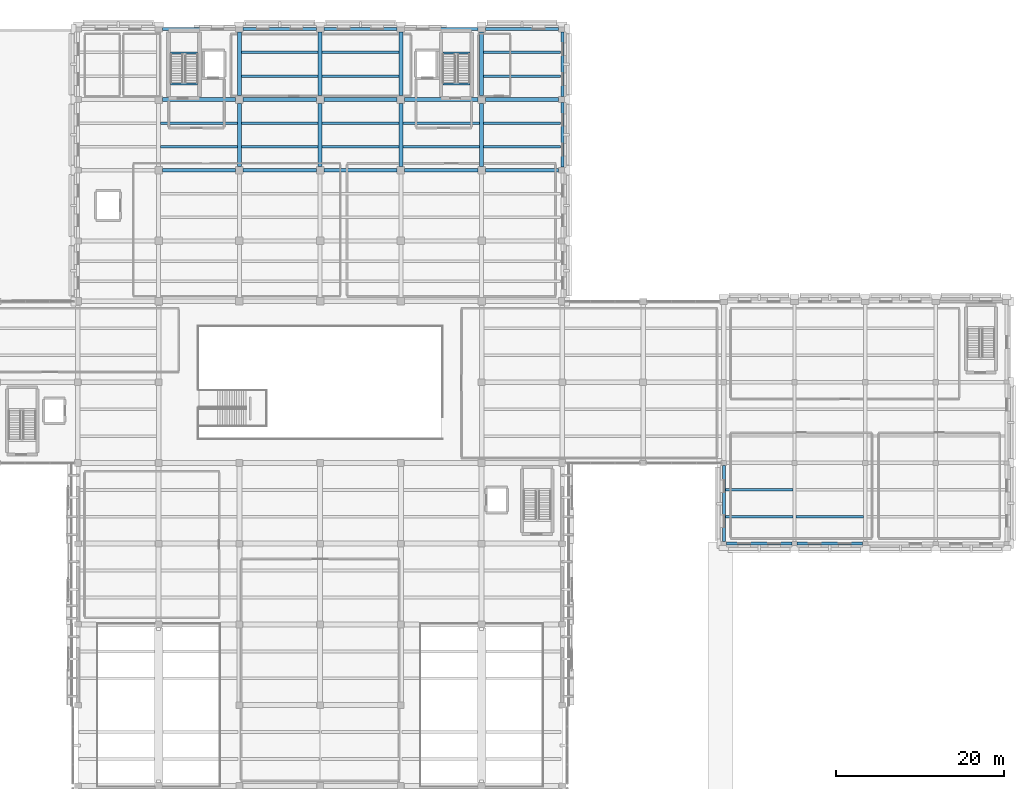
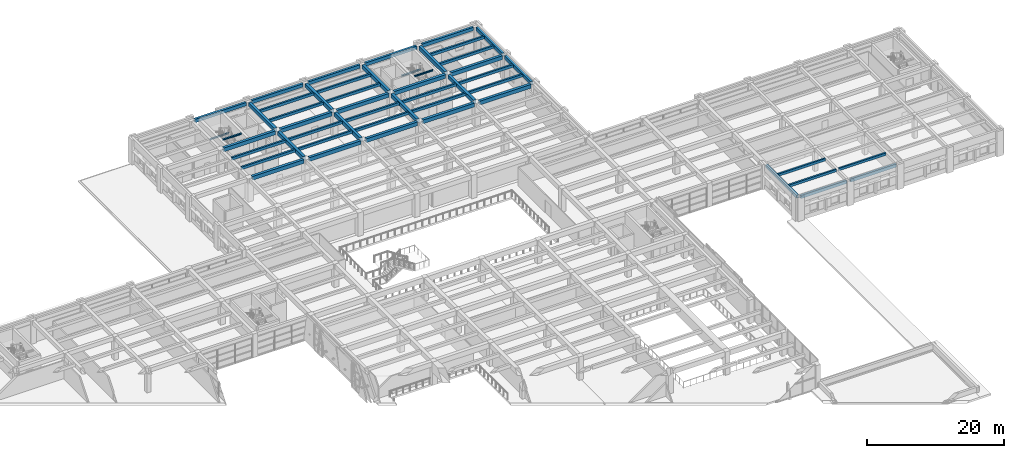
# One storey, part 20 of 49: 51 beams.
"""IFC4 building model written with IfcOpenShell, lengths in metres."""

from ifc_helpers import new_model, si_unit, direction, frame, origin, origin_2d, place, context, subcontext, project, spatial, rectangle, i_section, extrude, material, material_profile, profile_set, type_object, element, save


model = new_model("IFC4")

# Units and contexts
model_context = context("Model", 3, precision=1e-05, world=origin(), true_north=direction((0.0, 1.0)))
body_context = subcontext(model_context, "Body", "Model", "MODEL_VIEW")
ifc_project = project(units=[si_unit("LENGTHUNIT", "METRE"), si_unit("AREAUNIT", "SQUARE_METRE"), si_unit("VOLUMEUNIT", "CUBIC_METRE"), si_unit("PLANEANGLEUNIT", "RADIAN"), si_unit("MASSUNIT", "GRAM", prefix="KILO")], contexts=[model_context])

# Site, building, storey
site_placement = place(None, origin())
site = spatial("IfcSite", under=ifc_project, at=site_placement, CompositionType="ELEMENT")
building_placement = place(site_placement, origin())
building = spatial("IfcBuilding", under=site, at=building_placement, Name="Bempovik Park Faculty of Sciences", CompositionType="ELEMENT")
storey_placement = place(building_placement, frame((0.0, 0.0, 5.39990234375)))
storey = spatial("IfcBuildingStorey", under=building, at=storey_placement, Name="L01", CompositionType="ELEMENT", Elevation=5.39990234375)

# Beams
ifc_material_1 = material(Name="Concrete C35/45", Category="concrete")
ifc_material_profile_1 = material_profile(ifc_material_1, rectangle(XDim=0.3798828125, YDim=0.60009765625, at=origin_2d()), Name="RC 380x600")
ifc_profile_set_1 = profile_set([ifc_material_profile_1], Name="Concrete C35/45")
beam_type_1 = type_object("IfcBeamType", Name="B-032 RC 380x600", PredefinedType="SPANDREL", material=ifc_profile_set_1)
for number, where, z_axis, x_axis, name in (
    (1, (70.055908203125, 119.39990234375, 3.880126953125), (1.0, 0.0, 0.0), (0.0, 1.0, 0.0), "L01 Beam X (69.6-79.2, y=119.4)"),
    (2, (79.656005859375, 119.39990234375, 3.880126953125), (1.0, 0.0, 0.0), (0.0, 1.0, 0.0), "L01 Beam X (79.2-88.8, y=119.4)"),
    (3, (89.256103515625, 119.39990234375, 3.880126953125), (1.0, 0.0, 0.0), (0.0, 1.0, 0.0), "L01 Beam X (88.8-98.4, y=119.4)"),
    (4, (98.85595703125, 119.39990234375, 3.880126953125), (1.0, 0.0, 0.0), (0.0, 1.0, 0.0), "L01 Beam X (98.4-108.0, y=119.4)"),
    (5, (108.4560546875, 119.39990234375, 3.880126953125), (1.0, 0.0, 0.0), (0.0, 1.0, 0.0), "L01 Beam X (108.0-117.6, y=119.4)"),
):
    element("IfcBeam", number, at=place(storey_placement, frame(where, z_axis=z_axis, x_axis=x_axis)), inside=storey, type_object=beam_type_1, Name=name, PredefinedType="SPANDREL", context=body_context, shape_type="SweptSolid", body=[
        extrude(rectangle(XDim=0.3798828125, YDim=0.60009765625, at=origin_2d()), origin(), (0.0, 0.0, 1.0), 8.68798828125),
    ])
for number, where, z_axis, x_axis, name in (
    (6, (117.60009765625, 102.9560546875, 3.880126953125), (0.0, 1.0, 0.0), (-1.0, 0.0, 0.0), "L01 Beam Y (x=117.6, 102.6-111.0)"),
    (7, (117.60009765625, 111.35595703125, 3.880126953125), (0.0, 1.0, 0.0), (-1.0, 0.0, 0.0), "L01 Beam Y (x=117.6, 111.0-119.4)"),
):
    element("IfcBeam", number, at=place(storey_placement, frame(where, z_axis=z_axis, x_axis=x_axis)), inside=storey, type_object=beam_type_1, Name=name, PredefinedType="SPANDREL", context=body_context, shape_type="SweptSolid", body=[
        extrude(rectangle(XDim=0.3798828125, YDim=0.60009765625, at=origin_2d()), origin(), (0.0, 0.0, 1.0), 7.68798828125),
    ])
ifc_material_profile_2 = material_profile(ifc_material_1, rectangle(XDim=0.300048828125, YDim=0.47998046875, at=origin_2d()), Name="RC 300x480")
ifc_profile_set_2 = profile_set([ifc_material_profile_2], Name="Concrete C35/45")
beam_type_2 = type_object("IfcBeamType", Name="B-039 RC 300x480", PredefinedType="JOIST", material=ifc_profile_set_2)
for number, where, z_axis, x_axis, name in (
    (8, (69.8310546875, 105.39990234375, 3.940185546875), (1.0, 0.0, 0.0), (0.0, 1.0, 0.0), "L01 Secondary Joist (69.6-79.2, y=105.40)"),
    (9, (69.8310546875, 108.199951171875, 3.940185546875), (1.0, 0.0, 0.0), (0.0, 1.0, 0.0), "L01 Secondary Joist (69.6-79.2, y=108.20)"),
):
    element("IfcBeam", number, at=place(storey_placement, frame(where, z_axis=z_axis, x_axis=x_axis)), inside=storey, type_object=beam_type_2, Name=name, PredefinedType="JOIST", context=body_context, shape_type="SweptSolid", body=[
        extrude(rectangle(XDim=0.300048828125, YDim=0.47998046875, at=origin_2d()), origin(), (0.0, 0.0, 1.0), 9.137939453125),
    ])
for number, where, z_axis, x_axis, name in (
    (10, (79.430908203125, 105.39990234375, 3.940185546875), (1.0, 0.0, 0.0), (0.0, 1.0, 0.0), "L01 Secondary Joist (79.2-88.8, y=105.40)"),
    (11, (79.430908203125, 108.199951171875, 3.940185546875), (1.0, 0.0, 0.0), (0.0, 1.0, 0.0), "L01 Secondary Joist (79.2-88.8, y=108.20)"),
    (12, (79.430908203125, 113.800048828125, 3.940185546875), (1.0, 0.0, 0.0), (0.0, 1.0, 0.0), "L01 Secondary Joist (79.2-88.8, y=113.80)"),
    (13, (79.430908203125, 116.60009765625, 3.940185546875), (1.0, 0.0, 0.0), (0.0, 1.0, 0.0), "L01 Secondary Joist (79.2-88.8, y=116.60)"),
):
    element("IfcBeam", number, at=place(storey_placement, frame(where, z_axis=z_axis, x_axis=x_axis)), inside=storey, type_object=beam_type_2, Name=name, PredefinedType="JOIST", context=body_context, shape_type="SweptSolid", body=[
        extrude(rectangle(XDim=0.300048828125, YDim=0.47998046875, at=origin_2d()), origin(), (0.0, 0.0, 1.0), 9.13818359375),
    ])
for number, where, z_axis, x_axis, name in (
    (14, (89.031005859375, 105.39990234375, 3.940185546875), (1.0, 0.0, 0.0), (0.0, 1.0, 0.0), "L01 Secondary Joist (88.8-98.4, y=105.40)"),
    (15, (89.031005859375, 108.199951171875, 3.940185546875), (1.0, 0.0, 0.0), (0.0, 1.0, 0.0), "L01 Secondary Joist (88.8-98.4, y=108.20)"),
    (16, (89.031005859375, 113.800048828125, 3.940185546875), (1.0, 0.0, 0.0), (0.0, 1.0, 0.0), "L01 Secondary Joist (88.8-98.4, y=113.80)"),
    (17, (89.031005859375, 116.60009765625, 3.940185546875), (1.0, 0.0, 0.0), (0.0, 1.0, 0.0), "L01 Secondary Joist (88.8-98.4, y=116.60)"),
    (18, (98.631103515625, 105.39990234375, 3.940185546875), (1.0, 0.0, 0.0), (0.0, 1.0, 0.0), "L01 Secondary Joist (98.4-108.0, y=105.40)"),
    (19, (98.631103515625, 108.199951171875, 3.940185546875), (1.0, 0.0, 0.0), (0.0, 1.0, 0.0), "L01 Secondary Joist (98.4-108.0, y=108.20)"),
):
    element("IfcBeam", number, at=place(storey_placement, frame(where, z_axis=z_axis, x_axis=x_axis)), inside=storey, type_object=beam_type_2, Name=name, PredefinedType="JOIST", context=body_context, shape_type="SweptSolid", body=[
        extrude(rectangle(XDim=0.300048828125, YDim=0.47998046875, at=origin_2d()), origin(), (0.0, 0.0, 1.0), 9.137939453125),
    ])
for number, where, z_axis, x_axis, name in (
    (20, (108.23095703125, 105.39990234375, 3.940185546875), (1.0, 0.0, 0.0), (0.0, 1.0, 0.0), "L01 Secondary Joist (108.0-117.6, y=105.40)"),
    (21, (108.23095703125, 108.199951171875, 3.940185546875), (1.0, 0.0, 0.0), (0.0, 1.0, 0.0), "L01 Secondary Joist (108.0-117.6, y=108.20)"),
    (22, (108.23095703125, 113.800048828125, 3.940185546875), (1.0, 0.0, 0.0), (0.0, 1.0, 0.0), "L01 Secondary Joist (108.0-117.6, y=113.80)"),
    (23, (108.23095703125, 116.60009765625, 3.940185546875), (1.0, 0.0, 0.0), (0.0, 1.0, 0.0), "L01 Secondary Joist (108.0-117.6, y=116.60)"),
):
    element("IfcBeam", number, at=place(storey_placement, frame(where, z_axis=z_axis, x_axis=x_axis)), inside=storey, type_object=beam_type_2, Name=name, PredefinedType="JOIST", context=body_context, shape_type="SweptSolid", body=[
        extrude(rectangle(XDim=0.300048828125, YDim=0.47998046875, at=origin_2d()), origin(), (0.0, 0.0, 1.0), 9.173095703125),
    ])
ifc_material_profile_3 = material_profile(ifc_material_1, rectangle(XDim=0.35009765625, YDim=0.5400390625, at=origin_2d()), Name="RC 350x540")
ifc_profile_set_3 = profile_set([ifc_material_profile_3], Name="Concrete C35/45")
beam_type_3 = type_object("IfcBeamType", Name="B-059 RC 350x540", PredefinedType="SPANDREL", material=ifc_profile_set_3)
beam_1_placement = place(storey_placement, frame((137.115966796875, 58.199951171875, 3.91015625), z_axis=(1.0, 0.0, 0.0), x_axis=(0.0, 1.0, 0.0)))
element("IfcBeam", 24, at=beam_1_placement, inside=storey, type_object=beam_type_3, Name="L01 Beam X (136.8-145.2, y=58.2)", PredefinedType="SPANDREL", context=body_context, shape_type="SweptSolid", body=[
    extrude(rectangle(XDim=0.35009765625, YDim=0.5400390625, at=origin_2d()), origin(), (0.0, 0.0, 1.0), 7.76806640625),
])
beam_2_placement = place(storey_placement, frame((145.51611328125, 58.199951171875, 3.91015625), z_axis=(1.0, 0.0, 0.0), x_axis=(0.0, 1.0, 0.0)))
element("IfcBeam", 25, at=beam_2_placement, inside=storey, type_object=beam_type_3, Name="L01 Beam X (145.2-153.6, y=58.2)", PredefinedType="SPANDREL", context=body_context, shape_type="SweptSolid", body=[
    extrude(rectangle(XDim=0.35009765625, YDim=0.5400390625, at=origin_2d()), origin(), (0.0, 0.0, 1.0), 7.767822265625),
])
beam_3_placement = place(storey_placement, frame((136.800048828125, 58.43603515625, 3.91015625), z_axis=(0.0, 1.0, 0.0), x_axis=(-1.0, 0.0, 0.0)))
element("IfcBeam", 26, at=beam_3_placement, inside=storey, type_object=beam_type_3, Name="L01 Beam Y (x=136.8, 58.2-67.8)", PredefinedType="SPANDREL", context=body_context, shape_type="SweptSolid", body=[
    extrude(rectangle(XDim=0.35009765625, YDim=0.5400390625, at=origin_2d()), origin(), (0.0, 0.0, 1.0), 9.0478515625),
])
ifc_material_2 = material(Name="Steel S355", Category="steel")
ifc_material_profile_4 = material_profile(ifc_material_2, i_section(OverallWidth=0.239990234375, OverallDepth=0.22998046875, WebThickness=0.007568359375, FlangeThickness=0.011962890625, at=origin_2d()), Name="HEA 240")
ifc_profile_set_4 = profile_set([ifc_material_profile_4], Name="Steel S355")
beam_type_4 = type_object("IfcBeamType", Name="B-070 HEA 240", PredefinedType="BEAM", material=ifc_profile_set_4)
for number, where, z_axis, x_axis, name in (
    (27, (71.006103515625, 116.52490234375, 1.93505859375), (1.0, 0.0, 0.0), (0.0, 1.0, 0.0), "L01 ST-1 Half-Landing Trimmer Beam"),
    (28, (71.006103515625, 112.85009765625, 4.065185546875), (1.0, 0.0, 0.0), (0.0, 1.0, 0.0), "L02 ST-1 Floor Landing Trimmer Beam"),
    (29, (103.381103515625, 116.52490234375, 1.93505859375), (1.0, 0.0, 0.0), (0.0, 1.0, 0.0), "L01 ST-2 Half-Landing Trimmer Beam"),
    (30, (103.381103515625, 112.85009765625, 4.065185546875), (1.0, 0.0, 0.0), (0.0, 1.0, 0.0), "L02 ST-2 Floor Landing Trimmer Beam"),
):
    element("IfcBeam", number, at=place(storey_placement, frame(where, z_axis=z_axis, x_axis=x_axis)), inside=storey, type_object=beam_type_4, Name=name, PredefinedType="BEAM", context=body_context, shape_type="SweptSolid", body=[
        extrude(i_section(OverallWidth=0.239990234375, OverallDepth=0.22998046875, WebThickness=0.007568359375, FlangeThickness=0.011962890625, at=origin_2d()), origin(), (0.0, 0.0, 1.0), 3.23779296875),
    ])
ifc_material_profile_5 = material_profile(ifc_material_1, rectangle(XDim=0.280029296875, YDim=0.43994140625, at=origin_2d()), Name="RC 280x440")
ifc_profile_set_5 = profile_set([ifc_material_profile_5], Name="Concrete C35/45")
beam_type_5 = type_object("IfcBeamType", Name="B-076 RC 280x440", PredefinedType="JOIST", material=ifc_profile_set_5)
for number, where, z_axis, x_axis, name in (
    (31, (136.98095703125, 61.39990234375, 3.960205078125), (1.0, 0.0, 0.0), (0.0, 1.0, 0.0), "L01 Secondary Joist (136.8-145.2, y=61.40)"),
    (32, (136.98095703125, 64.60009765625, 3.960205078125), (1.0, 0.0, 0.0), (0.0, 1.0, 0.0), "L01 Secondary Joist (136.8-145.2, y=64.60)"),
):
    element("IfcBeam", number, at=place(storey_placement, frame(where, z_axis=z_axis, x_axis=x_axis)), inside=storey, type_object=beam_type_5, Name=name, PredefinedType="JOIST", context=body_context, shape_type="SweptSolid", body=[
        extrude(rectangle(XDim=0.280029296875, YDim=0.43994140625, at=origin_2d()), origin(), (0.0, 0.0, 1.0), 8.012939453125),
    ])
beam_4_placement = place(storey_placement, frame((145.406005859375, 61.39990234375, 3.960205078125), z_axis=(1.0, 0.0, 0.0), x_axis=(0.0, 1.0, 0.0)))
element("IfcBeam", 33, at=beam_4_placement, inside=storey, type_object=beam_type_5, Name="L01 Secondary Joist (145.2-153.6, y=61.40)", PredefinedType="JOIST", context=body_context, shape_type="SweptSolid", body=[
    extrude(rectangle(XDim=0.280029296875, YDim=0.43994140625, at=origin_2d()), origin(), (0.0, 0.0, 1.0), 7.988037109375),
])
ifc_material_profile_6 = material_profile(ifc_material_1, rectangle(XDim=0.449951171875, YDim=0.679931640625, at=origin_2d()), Name="RC 450x680")
ifc_profile_set_6 = profile_set([ifc_material_profile_6], Name="Concrete C35/45")
beam_type_6 = type_object("IfcBeamType", Name="B-113 RC 450x680", PredefinedType="BEAM", material=ifc_profile_set_6)
for number, where, z_axis, x_axis, name in (
    (34, (70.055908203125, 102.60009765625, 3.840087890625), (1.0, 0.0, 0.0), (0.0, 1.0, 0.0), "L01 Beam X (69.6-79.2, y=102.6)"),
    (35, (79.656005859375, 102.60009765625, 3.840087890625), (1.0, 0.0, 0.0), (0.0, 1.0, 0.0), "L01 Beam X (79.2-88.8, y=102.6)"),
    (36, (89.256103515625, 102.60009765625, 3.840087890625), (1.0, 0.0, 0.0), (0.0, 1.0, 0.0), "L01 Beam X (88.8-98.4, y=102.6)"),
    (37, (98.85595703125, 102.60009765625, 3.840087890625), (1.0, 0.0, 0.0), (0.0, 1.0, 0.0), "L01 Beam X (98.4-108.0, y=102.6)"),
    (38, (108.4560546875, 102.60009765625, 3.840087890625), (1.0, 0.0, 0.0), (0.0, 1.0, 0.0), "L01 Beam X (108.0-117.6, y=102.6)"),
    (39, (70.055908203125, 111.0, 3.840087890625), (1.0, 0.0, 0.0), (0.0, 1.0, 0.0), "L01 Beam X (69.6-79.2, y=111.0)"),
    (40, (79.656005859375, 111.0, 3.840087890625), (1.0, 0.0, 0.0), (0.0, 1.0, 0.0), "L01 Beam X (79.2-88.8, y=111.0)"),
    (41, (89.256103515625, 111.0, 3.840087890625), (1.0, 0.0, 0.0), (0.0, 1.0, 0.0), "L01 Beam X (88.8-98.4, y=111.0)"),
    (42, (98.85595703125, 111.0, 3.840087890625), (1.0, 0.0, 0.0), (0.0, 1.0, 0.0), "L01 Beam X (98.4-108.0, y=111.0)"),
    (43, (108.4560546875, 111.0, 3.840087890625), (1.0, 0.0, 0.0), (0.0, 1.0, 0.0), "L01 Beam X (108.0-117.6, y=111.0)"),
):
    element("IfcBeam", number, at=place(storey_placement, frame(where, z_axis=z_axis, x_axis=x_axis)), inside=storey, type_object=beam_type_6, Name=name, PredefinedType="BEAM", context=body_context, shape_type="SweptSolid", body=[
        extrude(rectangle(XDim=0.449951171875, YDim=0.679931640625, at=origin_2d()), origin(), (0.0, 0.0, 1.0), 8.68798828125),
    ])
beam_5_placement = place(storey_placement, frame((79.199951171875, 103.055908203125, 3.840087890625), z_axis=(0.0, 1.0, 0.0), x_axis=(-1.0, 0.0, 0.0)))
element("IfcBeam", 44, at=beam_5_placement, inside=storey, type_object=beam_type_6, Name="L01 Beam Y (x=79.2, 102.6-111.0)", PredefinedType="BEAM", context=body_context, shape_type="SweptSolid", body=[
    extrude(rectangle(XDim=0.449951171875, YDim=0.679931640625, at=origin_2d()), origin(), (0.0, 0.0, 1.0), 7.488037109375),
])
beam_6_placement = place(storey_placement, frame((79.199951171875, 111.4560546875, 3.840087890625), z_axis=(0.0, 1.0, 0.0), x_axis=(-1.0, 0.0, 0.0)))
element("IfcBeam", 45, at=beam_6_placement, inside=storey, type_object=beam_type_6, Name="L01 Beam Y (x=79.2, 111.0-119.4)", PredefinedType="BEAM", context=body_context, shape_type="SweptSolid", body=[
    extrude(rectangle(XDim=0.449951171875, YDim=0.679931640625, at=origin_2d()), origin(), (0.0, 0.0, 1.0), 7.587890625),
])
beam_7_placement = place(storey_placement, frame((88.800048828125, 103.055908203125, 3.840087890625), z_axis=(0.0, 1.0, 0.0), x_axis=(-1.0, 0.0, 0.0)))
element("IfcBeam", 46, at=beam_7_placement, inside=storey, type_object=beam_type_6, Name="L01 Beam Y (x=88.8, 102.6-111.0)", PredefinedType="BEAM", context=body_context, shape_type="SweptSolid", body=[
    extrude(rectangle(XDim=0.449951171875, YDim=0.679931640625, at=origin_2d()), origin(), (0.0, 0.0, 1.0), 7.488037109375),
])
beam_8_placement = place(storey_placement, frame((88.800048828125, 111.4560546875, 3.840087890625), z_axis=(0.0, 1.0, 0.0), x_axis=(-1.0, 0.0, 0.0)))
element("IfcBeam", 47, at=beam_8_placement, inside=storey, type_object=beam_type_6, Name="L01 Beam Y (x=88.8, 111.0-119.4)", PredefinedType="BEAM", context=body_context, shape_type="SweptSolid", body=[
    extrude(rectangle(XDim=0.449951171875, YDim=0.679931640625, at=origin_2d()), origin(), (0.0, 0.0, 1.0), 7.587890625),
])
beam_9_placement = place(storey_placement, frame((98.39990234375, 103.055908203125, 3.840087890625), z_axis=(0.0, 1.0, 0.0), x_axis=(-1.0, 0.0, 0.0)))
element("IfcBeam", 48, at=beam_9_placement, inside=storey, type_object=beam_type_6, Name="L01 Beam Y (x=98.4, 102.6-111.0)", PredefinedType="BEAM", context=body_context, shape_type="SweptSolid", body=[
    extrude(rectangle(XDim=0.449951171875, YDim=0.679931640625, at=origin_2d()), origin(), (0.0, 0.0, 1.0), 7.488037109375),
])
beam_10_placement = place(storey_placement, frame((98.39990234375, 111.4560546875, 3.840087890625), z_axis=(0.0, 1.0, 0.0), x_axis=(-1.0, 0.0, 0.0)))
element("IfcBeam", 49, at=beam_10_placement, inside=storey, type_object=beam_type_6, Name="L01 Beam Y (x=98.4, 111.0-119.4)", PredefinedType="BEAM", context=body_context, shape_type="SweptSolid", body=[
    extrude(rectangle(XDim=0.449951171875, YDim=0.679931640625, at=origin_2d()), origin(), (0.0, 0.0, 1.0), 7.587890625),
])
beam_11_placement = place(storey_placement, frame((108.0, 103.055908203125, 3.840087890625), z_axis=(0.0, 1.0, 0.0), x_axis=(-1.0, 0.0, 0.0)))
element("IfcBeam", 50, at=beam_11_placement, inside=storey, type_object=beam_type_6, Name="L01 Beam Y (x=108.0, 102.6-111.0)", PredefinedType="BEAM", context=body_context, shape_type="SweptSolid", body=[
    extrude(rectangle(XDim=0.449951171875, YDim=0.679931640625, at=origin_2d()), origin(), (0.0, 0.0, 1.0), 7.488037109375),
])
beam_12_placement = place(storey_placement, frame((108.0, 111.4560546875, 3.840087890625), z_axis=(0.0, 1.0, 0.0), x_axis=(-1.0, 0.0, 0.0)))
element("IfcBeam", 51, at=beam_12_placement, inside=storey, type_object=beam_type_6, Name="L01 Beam Y (x=108.0, 111.0-119.4)", PredefinedType="BEAM", context=body_context, shape_type="SweptSolid", body=[
    extrude(rectangle(XDim=0.449951171875, YDim=0.679931640625, at=origin_2d()), origin(), (0.0, 0.0, 1.0), 7.587890625),
])

save(model, "model.ifc")
